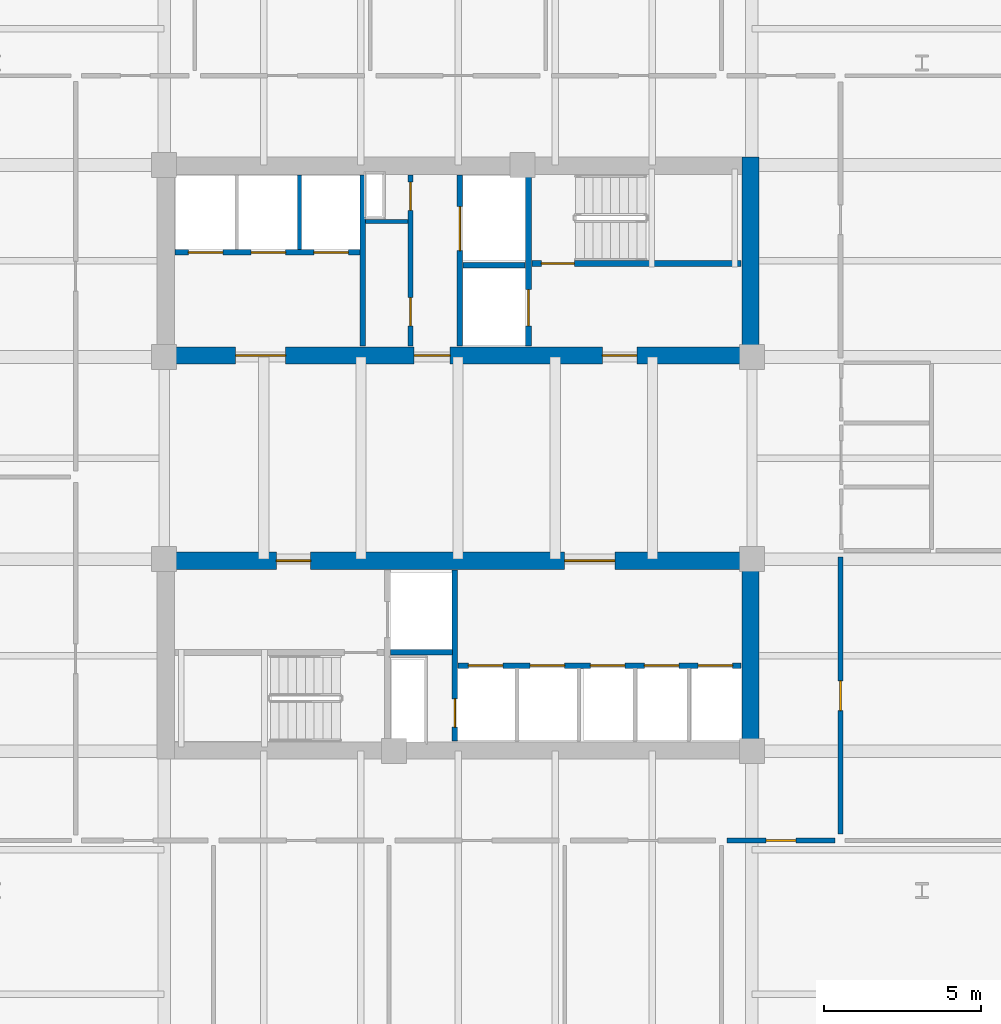
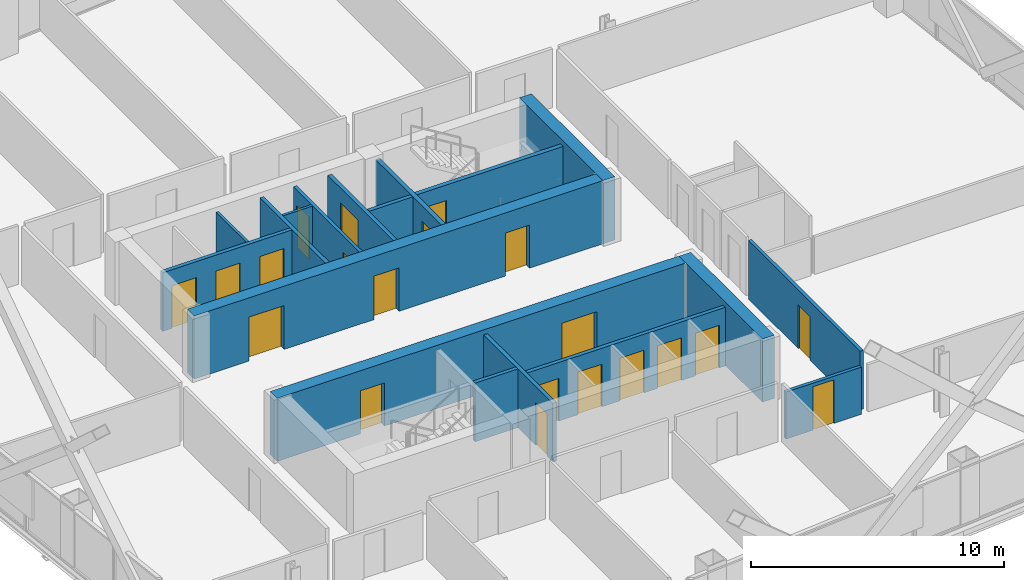
# One storey, part 28 of 32: 21 doors, 18 walls, 21 openings.
"""IFC4 building model written with IfcOpenShell, lengths in metres."""

from ifc_helpers import new_model, si_unit, direction, frame, frame_2d, origin, place, context, subcontext, project, spatial, rectangle, extrude, material, layer, layer_set, type_object, element, fill, save


model = new_model("IFC4")

# Units and contexts
model_context = context("Model", 3, precision=1e-05, world=origin(), true_north=direction((0.0, 1.0)))
body_context = subcontext(model_context, "Body", "Model", "MODEL_VIEW")
ifc_project = project(units=[si_unit("LENGTHUNIT", "METRE"), si_unit("AREAUNIT", "SQUARE_METRE"), si_unit("VOLUMEUNIT", "CUBIC_METRE"), si_unit("PLANEANGLEUNIT", "RADIAN"), si_unit("MASSUNIT", "GRAM", prefix="KILO")], contexts=[model_context])

# Site, building, storey
site_placement = place(None, origin())
site = spatial("IfcSite", under=ifc_project, at=site_placement, CompositionType="ELEMENT")
building_placement = place(site_placement, origin())
building = spatial("IfcBuilding", under=site, at=building_placement, Name="Qhalaya Broadcast Tower", CompositionType="ELEMENT")
storey_placement = place(building_placement, frame((0.0, 0.0, 81.64990234375)))
storey = spatial("IfcBuildingStorey", under=building, at=storey_placement, Name="L23", CompositionType="ELEMENT", Elevation=81.64990234375)

# Wall, openings, doors
ifc_material_1 = material(Name="Gypsum Acoustic Partition")
ifc_layer_1 = layer(ifc_material_1, 0.14990234375, Name="Gypsum Acoustic Partition")
ifc_layer_set_1 = layer_set([ifc_layer_1], Name="Gypsum Acoustic Partition")
wall_type_1 = type_object("IfcWallType", Name="Corridor & Tenancy Acoustic Partition 150", PredefinedType="PARTITIONING", material=ifc_layer_set_1)
wall_1_placement = place(storey_placement, frame((-1.52001953125, 4.169921875, 0.0), z_axis=(0.0, 0.0, 1.0), x_axis=(0.0, 1.0, 0.0)))
wall_1 = element("IfcWall", 1, at=wall_1_placement, inside=storey, type_object=wall_type_1, Name="L23 Partition Wall NCW-SVL", PredefinedType="PARTITIONING", context=body_context, shape_type="SweptSolid", body=[
    extrude(rectangle(XDim=5.4599609375, YDim=0.14990234375, at=frame_2d((2.72998046875, 0.0))), origin(), (0.0, 0.0, 1.0), 2.830078125),
])
opening_1_placement = place(wall_1_placement, frame((4.330078125, 0.0, 0.0)))
opening_1 = element("IfcOpeningElement", 2, at=opening_1_placement, cuts=wall_1, Name="Opening D06", PredefinedType="OPENING", context=body_context, shape_type="SweptSolid", body=[
    extrude(rectangle(XDim=0.89990234375, YDim=2.050048828125, at=frame_2d((0.449951171875, 1.02490234375))), frame((0.0, 0.0869140625, 0.0), z_axis=(0.0, -1.0, 0.0), x_axis=(1.0, 0.0, 0.0)), (0.0, 0.0, 1.0), 0.173828125),
])
opening_2_placement = place(wall_1_placement, frame((0.64990234375, 0.0, 0.0)))
opening_2 = element("IfcOpeningElement", 3, at=opening_2_placement, cuts=wall_1, Name="Opening D06", PredefinedType="OPENING", context=body_context, shape_type="SweptSolid", body=[
    extrude(rectangle(XDim=0.89990234375, YDim=2.050048828125, at=frame_2d((0.449951171875, 1.02490234375))), frame((0.0, 0.0869140625, 0.0), z_axis=(0.0, -1.0, 0.0), x_axis=(1.0, 0.0, 0.0)), (0.0, 0.0, 1.0), 0.173828125),
])
ifc_material_2 = material(Name="Fire-Rated Steel Door", Category="steel")
door_type_1 = type_object("IfcDoorType", Name="Riser & Electrical Shaft Access Door D06", OperationType="NOTDEFINED", PredefinedType="DOOR", material=ifc_material_2)
door_1_placement = place(opening_1_placement, origin())
door_1 = element("IfcDoor", 4, at=door_1_placement, inside=storey, type_object=door_type_1, Name="L23 Riser Shaft Access Door D-NRSR", OperationType="SINGLE_SWING_RIGHT", OverallHeight=2.050048828125, OverallWidth=0.89990234375, PredefinedType="DOOR", context=body_context, shape_type="SweptSolid", body=[
    extrude(rectangle(XDim=0.89990234375, YDim=2.050048828125, at=frame_2d((0.449951171875, 1.02490234375))), frame((0.0, 0.02490234375, 0.0), z_axis=(0.0, -1.0, 0.0), x_axis=(1.0, 0.0, 0.0)), (0.0, 0.0, 1.0), 0.050048828125),
])
fill(opening_1, door_1)
door_2_placement = place(opening_2_placement, origin())
door_2 = element("IfcDoor", 5, at=door_2_placement, inside=storey, type_object=door_type_1, Name="L23 Door D-NCST", OperationType="SINGLE_SWING_LEFT", OverallHeight=2.050048828125, OverallWidth=0.89990234375, PredefinedType="DOOR", context=body_context, shape_type="SweptSolid", body=[
    extrude(rectangle(XDim=0.89990234375, YDim=2.050048828125, at=frame_2d((0.449951171875, 1.02490234375))), frame((0.0, 0.02490234375, 0.0), z_axis=(0.0, -1.0, 0.0), x_axis=(1.0, 0.0, 0.0)), (0.0, 0.0, 1.0), 0.050048828125),
])
fill(opening_2, door_2)

# Wall, opening, door
wall_2_placement = place(storey_placement, frame((8.580078125, -11.60009765625, 0.0), z_axis=(0.0, 0.0, 1.0), x_axis=(1.0, 0.0, 0.0)))
wall_2 = element("IfcWall", 6, at=wall_2_placement, inside=storey, type_object=wall_type_1, Name="L23 Partition Wall W-COR-10", PredefinedType="PARTITIONING", context=body_context, shape_type="SweptSolid", body=[
    extrude(rectangle(XDim=3.43994140625, YDim=0.14990234375, at=frame_2d((1.719970703125, 0.0))), origin(), (0.0, 0.0, 1.0), 2.274169921875),
])
opening_3_placement = place(wall_2_placement, frame((1.2451171875, 0.0, 0.0)))
opening_3 = element("IfcOpeningElement", 7, at=opening_3_placement, cuts=wall_2, Name="Opening D10", PredefinedType="OPENING", context=body_context, shape_type="SweptSolid", body=[
    extrude(rectangle(XDim=0.949951171875, YDim=2.10009765625, at=frame_2d((0.47509765625, 1.050048828125))), frame((0.0, 0.0869140625, 0.0), z_axis=(0.0, -1.0, 0.0), x_axis=(1.0, 0.0, 0.0)), (0.0, 0.0, 1.0), 0.173828125),
])
ifc_material_3 = material(Name="Timber Veneer Acoustic Door", Category="wood")
door_type_2 = type_object("IfcDoorType", Name="Cellular Office & Edit Booth Door D10", OperationType="NOTDEFINED", PredefinedType="DOOR", material=ifc_material_3)
door_3_placement = place(opening_3_placement, origin())
door_3 = element("IfcDoor", 8, at=door_3_placement, inside=storey, type_object=door_type_2, Name="L23 Door D-RM10", OperationType="SINGLE_SWING_RIGHT", OverallHeight=2.10009765625, OverallWidth=0.949951171875, PredefinedType="DOOR", context=body_context, shape_type="SweptSolid", body=[
    extrude(rectangle(XDim=0.949951171875, YDim=2.10009765625, at=frame_2d((0.47509765625, 1.050048828125))), frame((0.0, 0.02490234375, 0.0), z_axis=(0.0, -1.0, 0.0), x_axis=(1.0, 0.0, 0.0)), (0.0, 0.0, 1.0), 0.050048828125),
])
fill(opening_3, door_3)

wall_3_placement = place(storey_placement, frame((12.199951171875, -11.39990234375, 0.0), z_axis=(0.0, 0.0, 1.0), x_axis=(0.0, 1.0, 0.0)))
wall_3 = element("IfcWall", 9, at=wall_3_placement, inside=storey, type_object=wall_type_1, Name="L23 Partition Wall W-COR-13", PredefinedType="PARTITIONING", context=body_context, shape_type="SweptSolid", body=[
    extrude(rectangle(XDim=8.83984375, YDim=0.14990234375, at=frame_2d((4.419921875, 0.0))), origin(), (0.0, 0.0, 1.0), 2.830078125),
])
opening_4_placement = place(wall_3_placement, frame((3.945068359375, 0.0, 0.0)))
opening_4 = element("IfcOpeningElement", 10, at=opening_4_placement, cuts=wall_3, Name="Opening D10", PredefinedType="OPENING", context=body_context, shape_type="SweptSolid", body=[
    extrude(rectangle(XDim=0.949951171875, YDim=2.10009765625, at=frame_2d((0.47509765625, 1.050048828125))), frame((0.0, 0.0869140625, 0.0), z_axis=(0.0, -1.0, 0.0), x_axis=(1.0, 0.0, 0.0)), (0.0, 0.0, 1.0), 0.173828125),
])
door_4_placement = place(opening_4_placement, origin())
door_4 = element("IfcDoor", 11, at=door_4_placement, inside=storey, type_object=door_type_2, Name="L23 Door D-RM13", OperationType="SINGLE_SWING_LEFT", OverallHeight=2.10009765625, OverallWidth=0.949951171875, PredefinedType="DOOR", context=body_context, shape_type="SweptSolid", body=[
    extrude(rectangle(XDim=0.949951171875, YDim=2.10009765625, at=frame_2d((0.47509765625, 1.050048828125))), frame((0.0, 0.02490234375, 0.0), z_axis=(0.0, -1.0, 0.0), x_axis=(1.0, 0.0, 0.0)), (0.0, 0.0, 1.0), 0.050048828125),
])
fill(opening_4, door_4)

ifc_material_4 = material(Name="Concrete C50/60", Category="concrete")
ifc_layer_2 = layer(ifc_material_4, 0.199951171875, Name="Concrete C50/60")
ifc_layer_set_2 = layer_set([ifc_layer_2], Name="Concrete C50/60")
wall_type_2 = type_object("IfcWallType", Name="Load-Bearing Stair Shaft Wall 200", PredefinedType="SHEAR", material=ifc_layer_set_2)
wall_4_placement = place(storey_placement, frame((2.360107421875, 6.804931640625, 0.0), z_axis=(0.0, 0.0, 1.0), x_axis=(1.0, 0.0, 0.0)))
wall_4 = element("IfcWall", 12, at=wall_4_placement, inside=storey, type_object=wall_type_2, Name="L23 Stair Core Shear Wall NCW-ST1", PredefinedType="SHEAR", context=body_context, shape_type="SweptSolid", body=[
    extrude(rectangle(XDim=6.669921875, YDim=0.199951171875, at=frame_2d((3.3349609375, 0.0))), origin(), (0.0, 0.0, 1.0), 2.830078125),
])
opening_5_placement = place(wall_4_placement, frame((0.300048828125, 0.0, 0.0)))
opening_5 = element("IfcOpeningElement", 13, at=opening_5_placement, cuts=wall_4, Name="Opening D03", PredefinedType="OPENING", context=body_context, shape_type="SweptSolid", body=[
    extrude(rectangle(XDim=1.050048828125, YDim=2.080078125, at=frame_2d((0.52490234375, 1.0400390625))), frame((0.0, 0.112060546875, 0.0), z_axis=(0.0, -1.0, 0.0), x_axis=(1.0, 0.0, 0.0)), (0.0, 0.0, 1.0), 0.223876953125),
])
door_type_3 = type_object("IfcDoorType", Name="Core Stair Protected Fire Door D03", OperationType="NOTDEFINED", PredefinedType="DOOR", material=ifc_material_2)
door_5_placement = place(opening_5_placement, origin())
door_5 = element("IfcDoor", 14, at=door_5_placement, inside=storey, type_object=door_type_3, Name="L23 Door D-NST1", OperationType="SINGLE_SWING_LEFT", OverallHeight=2.080078125, OverallWidth=1.050048828125, PredefinedType="DOOR", context=body_context, shape_type="SweptSolid", body=[
    extrude(rectangle(XDim=1.050048828125, YDim=2.080078125, at=frame_2d((0.52490234375, 1.0400390625))), frame((0.0, 0.02490234375, 0.0), z_axis=(0.0, -1.0, 0.0), x_axis=(1.0, 0.0, 0.0)), (0.0, 0.0, 1.0), 0.050048828125),
])
fill(opening_5, door_5)

wall_5_placement = place(storey_placement, frame((2.25, 4.169921875, 0.0), z_axis=(0.0, 0.0, 1.0), x_axis=(0.0, 1.0, 0.0)))
wall_5 = element("IfcWall", 15, at=wall_5_placement, inside=storey, type_object=wall_type_2, Name="L23 Stair Core Shear Wall NCW-FF", PredefinedType="SHEAR", context=body_context, shape_type="SweptSolid", body=[
    extrude(rectangle(XDim=5.4599609375, YDim=0.199951171875, at=frame_2d((2.72998046875, 0.0))), origin(), (0.0, 0.0, 1.0), 2.830078125),
])
opening_6_placement = place(wall_5_placement, frame((0.64990234375, 0.0, 0.0)))
opening_6 = element("IfcOpeningElement", 16, at=opening_6_placement, cuts=wall_5, Name="Opening LD2", PredefinedType="OPENING", context=body_context, shape_type="SweptSolid", body=[
    extrude(rectangle(XDim=1.14990234375, YDim=2.080078125, at=frame_2d((0.574951171875, 1.0400390625))), frame((0.0, 0.112060546875, 0.0), z_axis=(0.0, -1.0, 0.0), x_axis=(1.0, 0.0, 0.0)), (0.0, 0.0, 1.0), 0.223876953125),
])
ifc_material_5 = material(Name="Brushed Stainless Steel Lift Door", Category="steel")
door_type_4 = type_object("IfcDoorType", Name="Firefighting Lift Sliding Landing Door LD2", OperationType="DOUBLE_DOOR_SLIDING", PredefinedType="DOOR", material=ifc_material_5)
door_6_placement = place(opening_6_placement, origin())
door_6 = element("IfcDoor", 17, at=door_6_placement, inside=storey, type_object=door_type_4, Name="L23 Door LD-FF1", OperationType="DOUBLE_DOOR_SLIDING", OverallHeight=2.080078125, OverallWidth=1.14990234375, PredefinedType="DOOR", context=body_context, shape_type="SweptSolid", body=[
    extrude(rectangle(XDim=1.14990234375, YDim=2.080078125, at=frame_2d((0.574951171875, 1.0400390625))), frame((0.0, 0.02490234375, 0.0), z_axis=(0.0, -1.0, 0.0), x_axis=(1.0, 0.0, 0.0)), (0.0, 0.0, 1.0), 0.050048828125),
])
fill(opening_6, door_6)

# Wall, openings, doors
ifc_material_6 = material(Name="Concrete C60/75", Category="concrete")
ifc_layer_3 = layer(ifc_material_6, 0.550048828125, Name="Concrete C60/75")
ifc_layer_set_3 = layer_set([ifc_layer_3], Name="Concrete C60/75")
wall_type_3 = type_object("IfcWallType", Name="Lower Split-Core Shear Wall 550", PredefinedType="SHEAR", material=ifc_layer_set_3)
wall_6_placement = place(storey_placement, frame((-9.60009765625, 3.875, 0.0), z_axis=(0.0, 0.0, 1.0), x_axis=(1.0, 0.0, 0.0)))
wall_6 = element("IfcWall", 18, at=wall_6_placement, inside=storey, type_object=wall_type_3, Name="L23 Split-Core Shear Wall CW-NS", PredefinedType="SHEAR", context=body_context, shape_type="SweptSolid", body=[
    extrude(rectangle(XDim=19.2001953125, YDim=0.550048828125, at=frame_2d((9.60009765625, 0.0))), origin(), (0.0, 0.0, 1.0), 3.050048828125),
])
opening_7_placement = place(wall_6_placement, frame((14.199951171875, 0.0, 0.0)))
opening_7 = element("IfcOpeningElement", 19, at=opening_7_placement, cuts=wall_6, Name="Opening D04", PredefinedType="OPENING", context=body_context, shape_type="SweptSolid", body=[
    extrude(rectangle(XDim=1.10009765625, YDim=2.080078125, at=frame_2d((0.550048828125, 1.0400390625))), frame((0.0, 0.287109375, 0.0), z_axis=(0.0, -1.0, 0.0), x_axis=(1.0, 0.0, 0.0)), (0.0, 0.0, 1.0), 0.573974609375),
])
opening_8_placement = place(wall_6_placement, frame((8.199951171875, 0.0, 0.0)))
opening_8 = element("IfcOpeningElement", 20, at=opening_8_placement, cuts=wall_6, Name="Opening D05", PredefinedType="OPENING", context=body_context, shape_type="SweptSolid", body=[
    extrude(rectangle(XDim=1.14990234375, YDim=2.10009765625, at=frame_2d((0.574951171875, 1.050048828125))), frame((0.0, 0.287109375, 0.0), z_axis=(0.0, -1.0, 0.0), x_axis=(1.0, 0.0, 0.0)), (0.0, 0.0, 1.0), 0.573974609375),
])
opening_9_placement = place(wall_6_placement, frame((2.5, 0.0, 0.0)))
opening_9 = element("IfcOpeningElement", 21, at=opening_9_placement, cuts=wall_6, Name="Opening D07", PredefinedType="OPENING", context=body_context, shape_type="SweptSolid", body=[
    extrude(rectangle(XDim=1.60009765625, YDim=2.1201171875, at=frame_2d((0.800048828125, 1.06005859375))), frame((0.0, 0.287109375, 0.0), z_axis=(0.0, -1.0, 0.0), x_axis=(1.0, 0.0, 0.0)), (0.0, 0.0, 1.0), 0.573974609375),
])
door_type_5 = type_object("IfcDoorType", Name="Firefighting Lobby Rated Door D04", OperationType="NOTDEFINED", PredefinedType="DOOR", material=ifc_material_2)
door_7_placement = place(opening_7_placement, origin())
door_7 = element("IfcDoor", 22, at=door_7_placement, inside=storey, type_object=door_type_5, Name="L23 Door D-NFF", OperationType="SINGLE_SWING_RIGHT", OverallHeight=2.080078125, OverallWidth=1.10009765625, PredefinedType="DOOR", context=body_context, shape_type="SweptSolid", body=[
    extrude(rectangle(XDim=1.10009765625, YDim=2.080078125, at=frame_2d((0.550048828125, 1.0400390625))), frame((0.0, 0.02490234375, 0.0), z_axis=(0.0, -1.0, 0.0), x_axis=(1.0, 0.0, 0.0)), (0.0, 0.0, 1.0), 0.050048828125),
])
fill(opening_7, door_7)
ifc_material_7 = material(Name="Anodised Aluminium Glazed Door", Category="aluminium")
door_type_6 = type_object("IfcDoorType", Name="Passenger Lift Lobby Double Glazed Door D07", OperationType="DOUBLE_DOOR_SINGLE_SWING", PredefinedType="DOOR", material=ifc_material_7)
door_8_placement = place(opening_9_placement, origin())
door_8 = element("IfcDoor", 23, at=door_8_placement, inside=storey, type_object=door_type_6, Name="L23 Door D-NPLL", OperationType="DOUBLE_DOOR_SINGLE_SWING", OverallHeight=2.1201171875, OverallWidth=1.60009765625, PredefinedType="DOOR", context=body_context, shape_type="SweptSolid", body=[
    extrude(rectangle(XDim=1.60009765625, YDim=2.1201171875, at=frame_2d((0.800048828125, 1.06005859375))), frame((0.0, 0.02490234375, 0.0), z_axis=(0.0, -1.0, 0.0), x_axis=(1.0, 0.0, 0.0)), (0.0, 0.0, 1.0), 0.050048828125),
])
fill(opening_9, door_8)
door_type_7 = type_object("IfcDoorType", Name="Refuge & Plant Room Fire Door D05", OperationType="NOTDEFINED", PredefinedType="DOOR", material=ifc_material_2)
door_9_placement = place(opening_8_placement, origin())
door_9 = element("IfcDoor", 24, at=door_9_placement, inside=storey, type_object=door_type_7, Name="L23 Door D-NSVL", OperationType="SINGLE_SWING_LEFT", OverallHeight=2.10009765625, OverallWidth=1.14990234375, PredefinedType="DOOR", context=body_context, shape_type="SweptSolid", body=[
    extrude(rectangle(XDim=1.14990234375, YDim=2.10009765625, at=frame_2d((0.574951171875, 1.050048828125))), frame((0.0, 0.02490234375, 0.0), z_axis=(0.0, -1.0, 0.0), x_axis=(1.0, 0.0, 0.0)), (0.0, 0.0, 1.0), 0.050048828125),
])
fill(opening_8, door_9)

# Wall
wall_7_placement = place(storey_placement, frame((9.324951171875, 3.60009765625, 0.0), z_axis=(0.0, 0.0, 1.0), x_axis=(0.0, 1.0, 0.0)))
element("IfcWall", 25, at=wall_7_placement, inside=storey, type_object=wall_type_3, Name="L23 Split-Core Shear Wall CW-NE", PredefinedType="SHEAR", context=body_context, shape_type="SweptSolid", body=[
    extrude(rectangle(XDim=6.599853515625, YDim=0.550048828125, at=frame_2d((3.2998046875, 0.0))), origin(), (0.0, 0.0, 1.0), 3.050048828125),
])

# Wall, openings, doors
wall_8_placement = place(storey_placement, frame((-9.60009765625, -2.675048828125, 0.0), z_axis=(0.0, 0.0, 1.0), x_axis=(1.0, 0.0, 0.0)))
wall_8 = element("IfcWall", 26, at=wall_8_placement, inside=storey, type_object=wall_type_3, Name="L23 Split-Core Shear Wall CW-SN", PredefinedType="SHEAR", context=body_context, shape_type="SweptSolid", body=[
    extrude(rectangle(XDim=19.2001953125, YDim=0.550048828125, at=frame_2d((9.60009765625, 0.0))), origin(), (0.0, 0.0, 1.0), 3.050048828125),
])
opening_10_placement = place(wall_8_placement, frame((3.800048828125, 0.0, 0.0)))
opening_10 = element("IfcOpeningElement", 27, at=opening_10_placement, cuts=wall_8, Name="Opening D04", PredefinedType="OPENING", context=body_context, shape_type="SweptSolid", body=[
    extrude(rectangle(XDim=1.10009765625, YDim=2.080078125, at=frame_2d((0.550048828125, 1.0400390625))), frame((0.0, 0.287109375, 0.0), z_axis=(0.0, -1.0, 0.0), x_axis=(1.0, 0.0, 0.0)), (0.0, 0.0, 1.0), 0.573974609375),
])
opening_11_placement = place(wall_8_placement, frame((13.0, 0.0, 0.0)))
opening_11 = element("IfcOpeningElement", 28, at=opening_11_placement, cuts=wall_8, Name="Opening D07", PredefinedType="OPENING", context=body_context, shape_type="SweptSolid", body=[
    extrude(rectangle(XDim=1.60009765625, YDim=2.1201171875, at=frame_2d((0.800048828125, 1.06005859375))), frame((0.0, 0.287109375, 0.0), z_axis=(0.0, -1.0, 0.0), x_axis=(1.0, 0.0, 0.0)), (0.0, 0.0, 1.0), 0.573974609375),
])
door_10_placement = place(opening_10_placement, origin())
door_10 = element("IfcDoor", 29, at=door_10_placement, inside=storey, type_object=door_type_5, Name="L23 Door D-SFF", OperationType="SINGLE_SWING_LEFT", OverallHeight=2.080078125, OverallWidth=1.10009765625, PredefinedType="DOOR", context=body_context, shape_type="SweptSolid", body=[
    extrude(rectangle(XDim=1.10009765625, YDim=2.080078125, at=frame_2d((0.550048828125, 1.0400390625))), frame((0.0, 0.02490234375, 0.0), z_axis=(0.0, -1.0, 0.0), x_axis=(1.0, 0.0, 0.0)), (0.0, 0.0, 1.0), 0.050048828125),
])
fill(opening_10, door_10)
door_11_placement = place(opening_11_placement, origin())
door_11 = element("IfcDoor", 30, at=door_11_placement, inside=storey, type_object=door_type_6, Name="L23 Door D-SPLL", OperationType="DOUBLE_DOOR_SINGLE_SWING", OverallHeight=2.1201171875, OverallWidth=1.60009765625, PredefinedType="DOOR", context=body_context, shape_type="SweptSolid", body=[
    extrude(rectangle(XDim=1.60009765625, YDim=2.1201171875, at=frame_2d((0.800048828125, 1.06005859375))), frame((0.0, 0.02490234375, 0.0), z_axis=(0.0, -1.0, 0.0), x_axis=(1.0, 0.0, 0.0)), (0.0, 0.0, 1.0), 0.050048828125),
])
fill(opening_11, door_11)

# Walls
wall_9_placement = place(storey_placement, frame((9.324951171875, -9.0, 0.0), z_axis=(0.0, 0.0, 1.0), x_axis=(0.0, 1.0, 0.0)))
element("IfcWall", 31, at=wall_9_placement, inside=storey, type_object=wall_type_3, Name="L23 Split-Core Shear Wall CW-SE", PredefinedType="SHEAR", context=body_context, shape_type="SweptSolid", body=[
    extrude(rectangle(XDim=6.60009765625, YDim=0.550048828125, at=frame_2d((3.300048828125, 0.0))), origin(), (0.0, 0.0, 1.0), 3.050048828125),
])
ifc_layer_4 = layer(ifc_material_1, 0.1201171875, Name="Gypsum Acoustic Partition")
ifc_layer_set_4 = layer_set([ifc_layer_4], Name="Gypsum Acoustic Partition")
wall_type_4 = type_object("IfcWallType", Name="Office, Booth & Sanitary Partition 120", PredefinedType="PARTITIONING", material=ifc_layer_set_4)
wall_10_placement = place(storey_placement, frame((-2.9599609375, 8.14990234375, 0.0), z_axis=(0.0, 0.0, 1.0), x_axis=(1.0, 0.0, 0.0)))
element("IfcWall", 32, at=wall_10_placement, inside=storey, type_object=wall_type_4, Name="L23 Partition Wall NCW-VA", PredefinedType="PARTITIONING", context=body_context, shape_type="SweptSolid", body=[
    extrude(rectangle(XDim=1.35986328125, YDim=0.1201171875, at=frame_2d((0.679931640625, 0.0))), origin(), (0.0, 0.0, 1.0), 2.830078125),
])
wall_11_placement = place(storey_placement, frame((-5.06005859375, 7.25, 0.0), z_axis=(0.0, 0.0, 1.0), x_axis=(0.0, 1.0, 0.0)))
element("IfcWall", 33, at=wall_11_placement, inside=storey, type_object=wall_type_4, Name="L23 Partition Wall NCW-PD2", PredefinedType="PARTITIONING", context=body_context, shape_type="SweptSolid", body=[
    extrude(rectangle(XDim=2.3798828125, YDim=0.1201171875, at=frame_2d((1.18994140625, 0.0))), origin(), (0.0, 0.0, 1.0), 2.830078125),
])

# Wall, opening, door
ifc_layer_5 = layer(ifc_material_1, 0.175048828125, Name="Gypsum Acoustic Partition")
ifc_layer_set_5 = layer_set([ifc_layer_5], Name="Gypsum Acoustic Partition")
wall_type_5 = type_object("IfcWallType", Name="Shaft & Riser Fire Partition 175", PredefinedType="PARTITIONING", material=ifc_layer_set_5)
wall_12_placement = place(storey_placement, frame((0.06005859375, 4.169921875, 0.0), z_axis=(0.0, 0.0, 1.0), x_axis=(0.0, 1.0, 0.0)))
wall_12 = element("IfcWall", 34, at=wall_12_placement, inside=storey, type_object=wall_type_5, Name="L23 Partition Wall NCW-SVW", PredefinedType="PARTITIONING", context=body_context, shape_type="SweptSolid", body=[
    extrude(rectangle(XDim=5.4599609375, YDim=0.175048828125, at=frame_2d((2.72998046875, 0.0))), origin(), (0.0, 0.0, 1.0), 2.830078125),
])
opening_12_placement = place(wall_12_placement, frame((3.050048828125, 0.0, 0.0)))
opening_12 = element("IfcOpeningElement", 35, at=opening_12_placement, cuts=wall_12, Name="Opening LD3", PredefinedType="OPENING", context=body_context, shape_type="SweptSolid", body=[
    extrude(rectangle(XDim=1.39990234375, YDim=2.1201171875, at=frame_2d((0.699951171875, 1.06005859375))), frame((0.0, 0.099609375, 0.0), z_axis=(0.0, -1.0, 0.0), x_axis=(1.0, 0.0, 0.0)), (0.0, 0.0, 1.0), 0.198974609375),
])
door_type_8 = type_object("IfcDoorType", Name="Service Lift Wide Sliding Landing Door LD3", OperationType="DOUBLE_DOOR_SLIDING", PredefinedType="DOOR", material=ifc_material_5)
door_12_placement = place(opening_12_placement, origin())
door_12 = element("IfcDoor", 36, at=door_12_placement, inside=storey, type_object=door_type_8, Name="L23 Door LD-SV1", OperationType="DOUBLE_DOOR_SLIDING", OverallHeight=2.1201171875, OverallWidth=1.39990234375, PredefinedType="DOOR", context=body_context, shape_type="SweptSolid", body=[
    extrude(rectangle(XDim=1.39990234375, YDim=2.1201171875, at=frame_2d((0.699951171875, 1.06005859375))), frame((0.0, 0.02490234375, 0.0), z_axis=(0.0, -1.0, 0.0), x_axis=(1.0, 0.0, 0.0)), (0.0, 0.0, 1.0), 0.050048828125),
])
fill(opening_12, door_12)

# Walls
wall_13_placement = place(storey_placement, frame((0.159912109375, 6.75, 0.0), z_axis=(0.0, 0.0, 1.0), x_axis=(1.0, 0.0, 0.0)))
element("IfcWall", 37, at=wall_13_placement, inside=storey, type_object=wall_type_5, Name="L23 Partition Wall NCW-SVM", PredefinedType="PARTITIONING", context=body_context, shape_type="SweptSolid", body=[
    extrude(rectangle(XDim=1.97998046875, YDim=0.175048828125, at=frame_2d((0.989990234375, 0.0))), origin(), (0.0, 0.0, 1.0), 2.830078125),
])
wall_14_placement = place(storey_placement, frame((-3.0400390625, 4.169921875, 0.0), z_axis=(0.0, 0.0, 1.0), x_axis=(0.0, 1.0, 0.0)))
element("IfcWall", 38, at=wall_14_placement, inside=storey, type_object=wall_type_5, Name="L23 Partition Wall NCW-VRW", PredefinedType="PARTITIONING", context=body_context, shape_type="SweptSolid", body=[
    extrude(rectangle(XDim=5.4599609375, YDim=0.175048828125, at=frame_2d((2.72998046875, 0.0))), origin(), (0.0, 0.0, 1.0), 2.830078125),
])

# Wall, openings, doors
wall_15_placement = place(storey_placement, frame((-9.030029296875, 7.159912109375, 0.0), z_axis=(0.0, 0.0, 1.0), x_axis=(1.0, 0.0, 0.0)))
wall_15 = element("IfcWall", 39, at=wall_15_placement, inside=storey, type_object=wall_type_5, Name="L23 Partition Wall NCW-PLB", PredefinedType="PARTITIONING", context=body_context, shape_type="SweptSolid", body=[
    extrude(rectangle(XDim=5.909912109375, YDim=0.175048828125, at=frame_2d((2.955078125, 0.0))), origin(), (0.0, 0.0, 1.0), 2.830078125),
])
opening_13_placement = place(wall_15_placement, frame((0.429931640625, 0.0, 0.0)))
opening_13 = element("IfcOpeningElement", 40, at=opening_13_placement, cuts=wall_15, Name="Opening LD1", PredefinedType="OPENING", context=body_context, shape_type="SweptSolid", body=[
    extrude(rectangle(XDim=1.10009765625, YDim=2.06005859375, at=frame_2d((0.550048828125, 1.030029296875))), frame((0.0, 0.099609375, 0.0), z_axis=(0.0, -1.0, 0.0), x_axis=(1.0, 0.0, 0.0)), (0.0, 0.0, 1.0), 0.198974609375),
])
opening_14_placement = place(wall_15_placement, frame((2.429931640625, 0.0, 0.0)))
opening_14 = element("IfcOpeningElement", 41, at=opening_14_placement, cuts=wall_15, Name="Opening LD1", PredefinedType="OPENING", context=body_context, shape_type="SweptSolid", body=[
    extrude(rectangle(XDim=1.10009765625, YDim=2.06005859375, at=frame_2d((0.550048828125, 1.030029296875))), frame((0.0, 0.099609375, 0.0), z_axis=(0.0, -1.0, 0.0), x_axis=(1.0, 0.0, 0.0)), (0.0, 0.0, 1.0), 0.198974609375),
])
opening_15_placement = place(wall_15_placement, frame((4.429931640625, 0.0, 0.0)))
opening_15 = element("IfcOpeningElement", 42, at=opening_15_placement, cuts=wall_15, Name="Opening LD1", PredefinedType="OPENING", context=body_context, shape_type="SweptSolid", body=[
    extrude(rectangle(XDim=1.10009765625, YDim=2.06005859375, at=frame_2d((0.550048828125, 1.030029296875))), frame((0.0, 0.099609375, 0.0), z_axis=(0.0, -1.0, 0.0), x_axis=(1.0, 0.0, 0.0)), (0.0, 0.0, 1.0), 0.198974609375),
])
door_type_9 = type_object("IfcDoorType", Name="Passenger Lift Sliding Landing Door LD1", OperationType="DOUBLE_DOOR_SLIDING", PredefinedType="DOOR", material=ifc_material_5)
door_13_placement = place(opening_13_placement, origin())
door_13 = element("IfcDoor", 43, at=door_13_placement, inside=storey, type_object=door_type_9, Name="L23 Door LD-P1", OperationType="DOUBLE_DOOR_SLIDING", OverallHeight=2.06005859375, OverallWidth=1.10009765625, PredefinedType="DOOR", context=body_context, shape_type="SweptSolid", body=[
    extrude(rectangle(XDim=1.10009765625, YDim=2.06005859375, at=frame_2d((0.550048828125, 1.030029296875))), frame((0.0, 0.02490234375, 0.0), z_axis=(0.0, -1.0, 0.0), x_axis=(1.0, 0.0, 0.0)), (0.0, 0.0, 1.0), 0.050048828125),
])
fill(opening_13, door_13)
door_14_placement = place(opening_14_placement, origin())
door_14 = element("IfcDoor", 44, at=door_14_placement, inside=storey, type_object=door_type_9, Name="L23 Door LD-P2", OperationType="DOUBLE_DOOR_SLIDING", OverallHeight=2.06005859375, OverallWidth=1.10009765625, PredefinedType="DOOR", context=body_context, shape_type="SweptSolid", body=[
    extrude(rectangle(XDim=1.10009765625, YDim=2.06005859375, at=frame_2d((0.550048828125, 1.030029296875))), frame((0.0, 0.02490234375, 0.0), z_axis=(0.0, -1.0, 0.0), x_axis=(1.0, 0.0, 0.0)), (0.0, 0.0, 1.0), 0.050048828125),
])
fill(opening_14, door_14)
door_15_placement = place(opening_15_placement, origin())
door_15 = element("IfcDoor", 45, at=door_15_placement, inside=storey, type_object=door_type_9, Name="L23 Door LD-P3", OperationType="DOUBLE_DOOR_SLIDING", OverallHeight=2.06005859375, OverallWidth=1.10009765625, PredefinedType="DOOR", context=body_context, shape_type="SweptSolid", body=[
    extrude(rectangle(XDim=1.10009765625, YDim=2.06005859375, at=frame_2d((0.550048828125, 1.030029296875))), frame((0.0, 0.02490234375, 0.0), z_axis=(0.0, -1.0, 0.0), x_axis=(1.0, 0.0, 0.0)), (0.0, 0.0, 1.0), 0.050048828125),
])
fill(opening_15, door_15)

# Wall, opening, door
wall_16_placement = place(storey_placement, frame((-0.10009765625, -8.429931640625, 0.0), z_axis=(0.0, 0.0, 1.0), x_axis=(0.0, 1.0, 0.0)))
wall_16 = element("IfcWall", 46, at=wall_16_placement, inside=storey, type_object=wall_type_5, Name="L23 Partition Wall SCW-FFE", PredefinedType="PARTITIONING", context=body_context, shape_type="SweptSolid", body=[
    extrude(rectangle(XDim=5.4599609375, YDim=0.175048828125, at=frame_2d((2.72998046875, 0.0))), origin(), (0.0, 0.0, 1.0), 2.830078125),
])
opening_16_placement = place(wall_16_placement, frame((0.449951171875, 0.0, 0.0)))
opening_16 = element("IfcOpeningElement", 47, at=opening_16_placement, cuts=wall_16, Name="Opening D06", PredefinedType="OPENING", context=body_context, shape_type="SweptSolid", body=[
    extrude(rectangle(XDim=0.89990234375, YDim=2.050048828125, at=frame_2d((0.449951171875, 1.02490234375))), frame((0.0, 0.099609375, 0.0), z_axis=(0.0, -1.0, 0.0), x_axis=(1.0, 0.0, 0.0)), (0.0, 0.0, 1.0), 0.198974609375),
])
door_16_placement = place(opening_16_placement, origin())
door_16 = element("IfcDoor", 48, at=door_16_placement, inside=storey, type_object=door_type_1, Name="L23 Riser Shaft Access Door D-SRSR", OperationType="SINGLE_SWING_LEFT", OverallHeight=2.050048828125, OverallWidth=0.89990234375, PredefinedType="DOOR", context=body_context, shape_type="SweptSolid", body=[
    extrude(rectangle(XDim=0.89990234375, YDim=2.050048828125, at=frame_2d((0.449951171875, 1.02490234375))), frame((0.0, 0.02490234375, 0.0), z_axis=(0.0, -1.0, 0.0), x_axis=(1.0, 0.0, 0.0)), (0.0, 0.0, 1.0), 0.050048828125),
])
fill(opening_16, door_16)

# Wall
wall_17_placement = place(storey_placement, frame((-2.14990234375, -5.60009765625, 0.0), z_axis=(0.0, 0.0, 1.0), x_axis=(1.0, 0.0, 0.0)))
element("IfcWall", 49, at=wall_17_placement, inside=storey, type_object=wall_type_5, Name="L23 Partition Wall SCW-FFM", PredefinedType="PARTITIONING", context=body_context, shape_type="SweptSolid", body=[
    extrude(rectangle(XDim=1.969970703125, YDim=0.175048828125, at=frame_2d((0.98486328125, 0.0))), origin(), (0.0, 0.0, 1.0), 2.830078125),
])

# Wall, openings, doors
wall_18_placement = place(storey_placement, frame((0.0, -6.02001953125, 0.0), z_axis=(0.0, 0.0, 1.0), x_axis=(1.0, 0.0, 0.0)))
wall_18 = element("IfcWall", 50, at=wall_18_placement, inside=storey, type_object=wall_type_5, Name="L23 Partition Wall SCW-SLB", PredefinedType="PARTITIONING", context=body_context, shape_type="SweptSolid", body=[
    extrude(rectangle(XDim=9.030029296875, YDim=0.175048828125, at=frame_2d((4.51513671875, 0.0))), origin(), (0.0, 0.0, 1.0), 2.830078125),
])
opening_17_placement = place(wall_18_placement, frame((0.330078125, 0.0, 0.0)))
opening_17 = element("IfcOpeningElement", 51, at=opening_17_placement, cuts=wall_18, Name="Opening LD1", PredefinedType="OPENING", context=body_context, shape_type="SweptSolid", body=[
    extrude(rectangle(XDim=1.10009765625, YDim=2.06005859375, at=frame_2d((0.550048828125, 1.030029296875))), frame((0.0, 0.099609375, 0.0), z_axis=(0.0, -1.0, 0.0), x_axis=(1.0, 0.0, 0.0)), (0.0, 0.0, 1.0), 0.198974609375),
])
opening_18_placement = place(wall_18_placement, frame((2.300048828125, 0.0, 0.0)))
opening_18 = element("IfcOpeningElement", 52, at=opening_18_placement, cuts=wall_18, Name="Opening LD1", PredefinedType="OPENING", context=body_context, shape_type="SweptSolid", body=[
    extrude(rectangle(XDim=1.10009765625, YDim=2.06005859375, at=frame_2d((0.550048828125, 1.030029296875))), frame((0.0, 0.099609375, 0.0), z_axis=(0.0, -1.0, 0.0), x_axis=(1.0, 0.0, 0.0)), (0.0, 0.0, 1.0), 0.198974609375),
])
opening_19_placement = place(wall_18_placement, frame((4.219970703125, 0.0, 0.0)))
opening_19 = element("IfcOpeningElement", 53, at=opening_19_placement, cuts=wall_18, Name="Opening LD1", PredefinedType="OPENING", context=body_context, shape_type="SweptSolid", body=[
    extrude(rectangle(XDim=1.10009765625, YDim=2.06005859375, at=frame_2d((0.550048828125, 1.030029296875))), frame((0.0, 0.099609375, 0.0), z_axis=(0.0, -1.0, 0.0), x_axis=(1.0, 0.0, 0.0)), (0.0, 0.0, 1.0), 0.198974609375),
])
opening_20_placement = place(wall_18_placement, frame((5.93994140625, 0.0, 0.0)))
opening_20 = element("IfcOpeningElement", 54, at=opening_20_placement, cuts=wall_18, Name="Opening LD1", PredefinedType="OPENING", context=body_context, shape_type="SweptSolid", body=[
    extrude(rectangle(XDim=1.10009765625, YDim=2.06005859375, at=frame_2d((0.550048828125, 1.030029296875))), frame((0.0, 0.099609375, 0.0), z_axis=(0.0, -1.0, 0.0), x_axis=(1.0, 0.0, 0.0)), (0.0, 0.0, 1.0), 0.198974609375),
])
opening_21_placement = place(wall_18_placement, frame((7.659912109375, 0.0, 0.0)))
opening_21 = element("IfcOpeningElement", 55, at=opening_21_placement, cuts=wall_18, Name="Opening LD1", PredefinedType="OPENING", context=body_context, shape_type="SweptSolid", body=[
    extrude(rectangle(XDim=1.10009765625, YDim=2.06005859375, at=frame_2d((0.550048828125, 1.030029296875))), frame((0.0, 0.099609375, 0.0), z_axis=(0.0, -1.0, 0.0), x_axis=(1.0, 0.0, 0.0)), (0.0, 0.0, 1.0), 0.198974609375),
])
door_17_placement = place(opening_17_placement, origin())
door_17 = element("IfcDoor", 56, at=door_17_placement, inside=storey, type_object=door_type_9, Name="L23 Door LD-P4", OperationType="DOUBLE_DOOR_SLIDING", OverallHeight=2.06005859375, OverallWidth=1.10009765625, PredefinedType="DOOR", context=body_context, shape_type="SweptSolid", body=[
    extrude(rectangle(XDim=1.10009765625, YDim=2.06005859375, at=frame_2d((0.550048828125, 1.030029296875))), frame((0.0, 0.02490234375, 0.0), z_axis=(0.0, -1.0, 0.0), x_axis=(1.0, 0.0, 0.0)), (0.0, 0.0, 1.0), 0.050048828125),
])
fill(opening_17, door_17)
door_18_placement = place(opening_18_placement, origin())
door_18 = element("IfcDoor", 57, at=door_18_placement, inside=storey, type_object=door_type_9, Name="L23 Door LD-P5", OperationType="DOUBLE_DOOR_SLIDING", OverallHeight=2.06005859375, OverallWidth=1.10009765625, PredefinedType="DOOR", context=body_context, shape_type="SweptSolid", body=[
    extrude(rectangle(XDim=1.10009765625, YDim=2.06005859375, at=frame_2d((0.550048828125, 1.030029296875))), frame((0.0, 0.02490234375, 0.0), z_axis=(0.0, -1.0, 0.0), x_axis=(1.0, 0.0, 0.0)), (0.0, 0.0, 1.0), 0.050048828125),
])
fill(opening_18, door_18)
door_19_placement = place(opening_19_placement, origin())
door_19 = element("IfcDoor", 58, at=door_19_placement, inside=storey, type_object=door_type_9, Name="L23 Door LD-P6", OperationType="DOUBLE_DOOR_SLIDING", OverallHeight=2.06005859375, OverallWidth=1.10009765625, PredefinedType="DOOR", context=body_context, shape_type="SweptSolid", body=[
    extrude(rectangle(XDim=1.10009765625, YDim=2.06005859375, at=frame_2d((0.550048828125, 1.030029296875))), frame((0.0, 0.02490234375, 0.0), z_axis=(0.0, -1.0, 0.0), x_axis=(1.0, 0.0, 0.0)), (0.0, 0.0, 1.0), 0.050048828125),
])
fill(opening_19, door_19)
door_20_placement = place(opening_20_placement, origin())
door_20 = element("IfcDoor", 59, at=door_20_placement, inside=storey, type_object=door_type_9, Name="L23 Door LD-P7", OperationType="DOUBLE_DOOR_SLIDING", OverallHeight=2.06005859375, OverallWidth=1.10009765625, PredefinedType="DOOR", context=body_context, shape_type="SweptSolid", body=[
    extrude(rectangle(XDim=1.10009765625, YDim=2.06005859375, at=frame_2d((0.550048828125, 1.030029296875))), frame((0.0, 0.02490234375, 0.0), z_axis=(0.0, -1.0, 0.0), x_axis=(1.0, 0.0, 0.0)), (0.0, 0.0, 1.0), 0.050048828125),
])
fill(opening_20, door_20)
door_21_placement = place(opening_21_placement, origin())
door_21 = element("IfcDoor", 60, at=door_21_placement, inside=storey, type_object=door_type_9, Name="L23 Door LD-P8", OperationType="DOUBLE_DOOR_SLIDING", OverallHeight=2.06005859375, OverallWidth=1.10009765625, PredefinedType="DOOR", context=body_context, shape_type="SweptSolid", body=[
    extrude(rectangle(XDim=1.10009765625, YDim=2.06005859375, at=frame_2d((0.550048828125, 1.030029296875))), frame((0.0, 0.02490234375, 0.0), z_axis=(0.0, -1.0, 0.0), x_axis=(1.0, 0.0, 0.0)), (0.0, 0.0, 1.0), 0.050048828125),
])
fill(opening_21, door_21)

save(model, "model.ifc")
